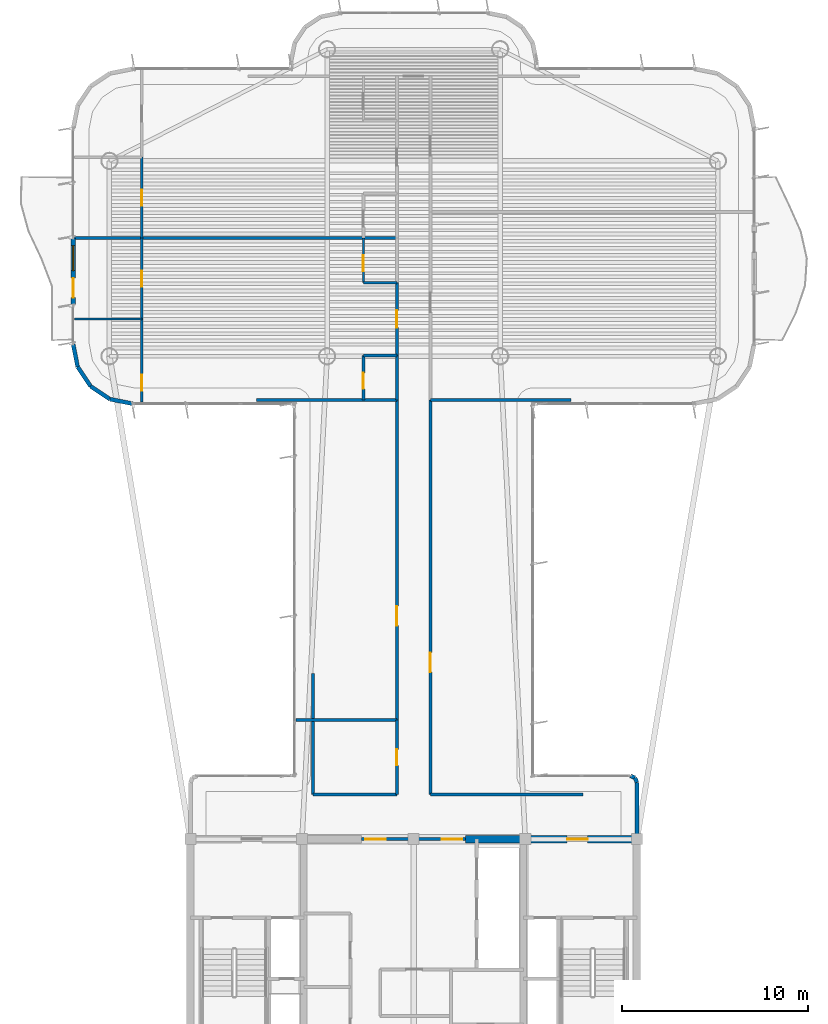
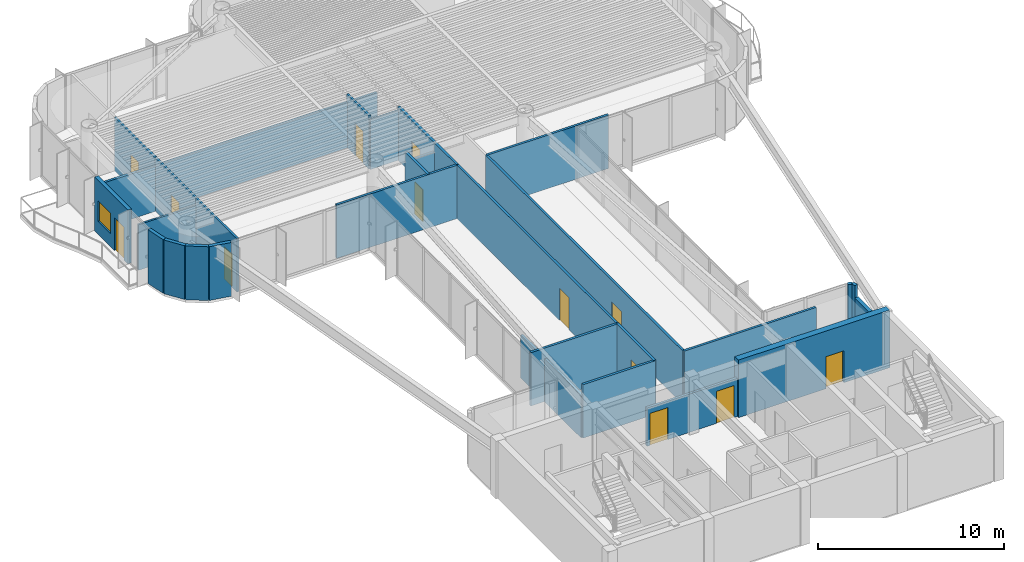
# One storey, part 11 of 15: 30 walls, 13 doors, 1 window, 14 openings.
"""IFC4 building model written with IfcOpenShell, lengths in metres."""

from ifc_helpers import new_model, si_unit, direction, frame, frame_2d, origin, origin_2d, place, context, subcontext, project, spatial, rectangle, extrude, source, transform, mapped, material, layer, layer_set, type_object, element, fill, save


model = new_model("IFC4")

# Units and contexts
model_context = context("Model", 3, precision=1e-05, world=origin(), true_north=direction((0.0, 1.0)))
body_context = subcontext(model_context, "Body", "Model", "MODEL_VIEW")
ifc_project = project(units=[si_unit("LENGTHUNIT", "METRE"), si_unit("AREAUNIT", "SQUARE_METRE"), si_unit("VOLUMEUNIT", "CUBIC_METRE"), si_unit("PLANEANGLEUNIT", "RADIAN"), si_unit("MASSUNIT", "GRAM", prefix="KILO")], contexts=[model_context])

# Site, building, storey
site_placement = place(None, origin())
site = spatial("IfcSite", under=ifc_project, at=site_placement, CompositionType="ELEMENT")
building_placement = place(site_placement, origin())
building = spatial("IfcBuilding", under=site, at=building_placement, Name="Brelvock Crest Care Tower", CompositionType="ELEMENT")
storey_placement = place(building_placement, frame((0.0, 0.0, 279.719970703125)))
storey = spatial("IfcBuildingStorey", under=building, at=storey_placement, Name="L71", CompositionType="ELEMENT", Elevation=279.719970703125)

# Wall, opening, door
ifc_material_1 = material(Name="Concrete S65 (65 MPa)", Category="concrete")
ifc_layer_1 = layer(ifc_material_1, 0.39990234375, Name="WL-CS4")
ifc_layer_set_1 = layer_set([ifc_layer_1], Name="Concrete S65 (65 MPa)")
wall_type_1 = type_object("IfcWallType", Name="WL-CS4", PredefinedType="SHEAR", material=ifc_layer_set_1)
wall_1_placement = place(storey_placement, frame((38.800048828125, 18.0, 0.0), z_axis=(0.0, 0.0, 1.0), x_axis=(1.0, 0.0, 0.0)))
wall_1 = element("IfcWall", 1, at=wall_1_placement, inside=storey, type_object=wall_type_1, Name="L71 Core North-East Shear Wall", PredefinedType="SHEAR", context=body_context, shape_type="SweptSolid", body=[
    extrude(rectangle(XDim=9.39990234375, YDim=0.39990234375, at=frame_2d((4.699951171875, 0.0))), origin(), (0.0, 0.0, 1.0), 3.780029296875),
])
opening_1_placement = place(wall_1_placement, frame((5.449951171875, 0.0, 0.0)))
opening_1 = element("IfcOpeningElement", 2, at=opening_1_placement, cuts=wall_1, Name="Opening FD-1", PredefinedType="OPENING", context=body_context, shape_type="SweptSolid", body=[
    extrude(rectangle(XDim=1.10009765625, YDim=2.10009765625, at=origin_2d()), frame((0.550048828125, 0.2099609375, 1.050048828125), z_axis=(0.0, -1.0, 0.0), x_axis=(1.0, 0.0, 0.0)), (0.0, 0.0, 1.0), 0.419921875),
])
ifc_material_2 = material(Name="Steel Grade 350", Category="steel")
door_type_1 = type_object("IfcDoorType", Name="DR-FFL1", OperationType="NOTDEFINED", PredefinedType="DOOR", material=ifc_material_2)
shared_shape_1 = source(origin(), body_context, "Body", "SweptSolid", [
    extrude(rectangle(XDim=1.10009765625, YDim=2.10009765625, at=origin_2d()), frame((0.550048828125, 0.02490234375, 1.050048828125), z_axis=(0.0, -1.0, 0.0), x_axis=(1.0, 0.0, 0.0)), (0.0, 0.0, 1.0), 0.050048828125),
])
door_1_placement = place(opening_1_placement, origin())
door_1 = element("IfcDoor", 3, at=door_1_placement, inside=storey, type_object=door_type_1, Name="L71 Firefighting Lobby FFL-2 Exit Door", OperationType="SINGLE_SWING_RIGHT", OverallHeight=2.10009765625, OverallWidth=1.10009765625, PredefinedType="DOOR", context=body_context, shape_type="MappedRepresentation", body=[
    mapped(shared_shape_1, transform((0.0, 0.0, 0.0), x_axis=(1.0, 0.0, 0.0), y_axis=(0.0, 1.0, 0.0), z_axis=(0.0, 0.0, 1.0), scale=1.0)),
])
fill(opening_1, door_1)

# Wall, openings, door, window
ifc_material_3 = material(Name="Precast concrete N40 (40 MPa)", Category="concrete")
ifc_layer_2 = layer(ifc_material_3, 0.239990234375, Name="WL-EX1")
ifc_layer_set_2 = layer_set([ifc_layer_2], Name="Precast concrete N40 (40 MPa)")
wall_type_2 = type_object("IfcWallType", Name="WL-EX1", PredefinedType="SOLIDWALL", material=ifc_layer_set_2)
wall_2_placement = place(storey_placement, frame((17.699951171875, 46.699951171875, 0.0), z_axis=(0.0, 0.0, 1.0), x_axis=(0.0, 1.0, 0.0)))
wall_2 = element("IfcWall", 4, at=wall_2_placement, inside=storey, type_object=wall_type_2, Name="L71 Exterior Spandrel Wall WL-BAL-L71-W", PredefinedType="SOLIDWALL", context=body_context, shape_type="SweptSolid", body=[
    extrude(rectangle(XDim=3.60009765625, YDim=0.239990234375, at=frame_2d((1.800048828125, 0.0))), origin(), (0.0, 0.0, 1.0), 3.530029296875),
])
opening_2_placement = place(wall_2_placement, frame((0.39990234375, 0.0, 0.0)))
opening_2 = element("IfcOpeningElement", 5, at=opening_2_placement, cuts=wall_2, Name="Opening BD-1", PredefinedType="OPENING", context=body_context, shape_type="SweptSolid", body=[
    extrude(rectangle(XDim=1.050048828125, YDim=2.14990234375, at=origin_2d()), frame((0.52490234375, 0.1298828125, 1.074951171875), z_axis=(0.0, -1.0, 0.0), x_axis=(1.0, 0.0, 0.0)), (0.0, 0.0, 1.0), 0.260009765625),
])
opening_3_placement = place(wall_2_placement, frame((1.85009765625, 0.0, 0.85009765625)))
opening_3 = element("IfcOpeningElement", 6, at=opening_3_placement, cuts=wall_2, Name="Opening W-01", PredefinedType="OPENING", context=body_context, shape_type="SweptSolid", body=[
    extrude(rectangle(XDim=1.35009765625, YDim=1.35009765625, at=origin_2d()), frame((0.675048828125, 0.1298828125, 0.675048828125), z_axis=(0.0, -1.0, 0.0), x_axis=(1.0, 0.0, 0.0)), (0.0, 0.0, 1.0), 0.260009765625),
])
ifc_material_4 = material(Name="Dark Glass Double Glazed Low-E", Category="glass")
door_type_2 = type_object("IfcDoorType", Name="DR-BAL1", OperationType="NOTDEFINED", PredefinedType="DOOR", material=ifc_material_4)
shared_shape_2 = source(origin(), body_context, "Body", "SweptSolid", [
    extrude(rectangle(XDim=1.050048828125, YDim=2.14990234375, at=origin_2d()), frame((0.52490234375, 0.02490234375, 1.074951171875), z_axis=(0.0, -1.0, 0.0), x_axis=(1.0, 0.0, 0.0)), (0.0, 0.0, 1.0), 0.050048828125),
])
door_2_placement = place(opening_2_placement, origin())
door_2 = element("IfcDoor", 7, at=door_2_placement, inside=storey, type_object=door_type_2, Name="L71 W Wave Balcony Glazed Door", OperationType="SINGLE_SWING_LEFT", OverallHeight=2.14990234375, OverallWidth=1.050048828125, PredefinedType="DOOR", context=body_context, shape_type="MappedRepresentation", body=[
    mapped(shared_shape_2, transform((0.0, 0.0, 0.0), x_axis=(1.0, 0.0, 0.0), y_axis=(0.0, 1.0, 0.0), z_axis=(0.0, 0.0, 1.0), scale=1.0)),
])
fill(opening_2, door_2)
window_type = type_object("IfcWindowType", Name="WN-EX1", PartitioningType="SINGLE_PANEL", PredefinedType="WINDOW", material=ifc_material_4)
shared_shape_3 = source(origin(), body_context, "Body", "SweptSolid", [
    extrude(rectangle(XDim=1.35009765625, YDim=1.35009765625, at=origin_2d()), frame((0.675048828125, 0.030029296875, 0.675048828125), z_axis=(0.0, -1.0, 0.0), x_axis=(1.0, 0.0, 0.0)), (0.0, 0.0, 1.0), 0.06005859375),
])
window_placement = place(opening_3_placement, origin())
window = element("IfcWindow", 8, at=window_placement, inside=storey, type_object=window_type, Name="L71 W Suite Casement Window", OverallHeight=1.35009765625, OverallWidth=1.35009765625, PartitioningType="SINGLE_PANEL", PredefinedType="WINDOW", context=body_context, shape_type="MappedRepresentation", body=[
    mapped(shared_shape_3, transform((0.0, 0.0, 0.0), x_axis=(1.0, 0.0, 0.0), y_axis=(0.0, 1.0, 0.0), z_axis=(0.0, 0.0, 1.0), scale=1.0)),
])
fill(opening_3, window)

# Walls
ifc_layer_3 = layer(ifc_material_3, 0.215087890625, Name="WL-EX2")
ifc_layer_set_3 = layer_set([ifc_layer_3], Name="Precast concrete N40 (40 MPa)")
wall_type_3 = type_object("IfcWallType", Name="WL-EX2", PredefinedType="SOLIDWALL", material=ifc_layer_set_3)
wall_3_placement = place(storey_placement, frame((47.8974609375, 21.297607421875, 0.0), z_axis=(0.0, 0.0, 1.0), x_axis=(0.382673670509, -0.923883575944, 0.0)))
element("IfcWall", 9, at=wall_3_placement, inside=storey, type_object=wall_type_3, Name="L71 Rounded Corner Wall 00", PredefinedType="SOLIDWALL", context=body_context, shape_type="SweptSolid", body=[
    extrude(rectangle(XDim=0.26806640625, YDim=0.215087890625, at=frame_2d((0.134033203125, 0.0))), origin(), (0.0, 0.0, 1.0), 3.530029296875),
])
wall_4_placement = place(storey_placement, frame((48.0, 21.050048828125, 0.0), z_axis=(0.0, 0.0, 1.0), x_axis=(0.0, -1.0, 0.0)))
element("IfcWall", 10, at=wall_4_placement, inside=storey, type_object=wall_type_3, Name="L71 Rounded Corner Wall 01", PredefinedType="SOLIDWALL", context=body_context, shape_type="SweptSolid", body=[
    extrude(rectangle(XDim=2.77001953125, YDim=0.215087890625, at=frame_2d((1.385009765625, 0.0))), origin(), (0.0, 0.0, 1.0), 2.718017578125),
])
for number, where, z_axis, x_axis, name in (
    (11, (20.89990234375, 41.39990234375, 0.0), (0.0, 0.0, 1.0), (-0.980775717779, 0.195138390419, 0.0), "L71 Rounded Corner Wall 13"),
    (12, (19.67529296875, 41.6435546875, 0.0), (0.0, 0.0, 1.0), (-0.831387912822, 0.555692485475, 0.0), "L71 Rounded Corner Wall 14"),
    (13, (18.63720703125, 42.33740234375, 0.0), (0.0, 0.0, 1.0), (-0.555557312883, 0.831478245117, 0.0), "L71 Rounded Corner Wall 15"),
    (14, (17.943603515625, 43.37548828125, 0.0), (0.0, 0.0, 1.0), (-0.195138390419, 0.980775717779, 0.0), "L71 Rounded Corner Wall 16"),
):
    element("IfcWall", number, at=place(storey_placement, frame(where, z_axis=z_axis, x_axis=x_axis)), inside=storey, type_object=wall_type_3, Name=name, PredefinedType="SOLIDWALL", context=body_context, shape_type="SweptSolid", body=[
        extrude(rectangle(XDim=1.24853515625, YDim=0.215087890625, at=frame_2d((0.624267578125, 0.0))), origin(), (0.0, 0.0, 1.0), 3.530029296875),
    ])
wall_5_placement = place(storey_placement, frame((47.64990234375, 21.39990234375, 0.0), z_axis=(0.0, 0.0, 1.0), x_axis=(0.924205486139, -0.381895560841, 0.0)))
element("IfcWall", 15, at=wall_5_placement, inside=storey, type_object=wall_type_3, Name="L71 Rounded Corner Wall 47", PredefinedType="SOLIDWALL", context=body_context, shape_type="SweptSolid", body=[
    extrude(rectangle(XDim=0.267822265625, YDim=0.215087890625, at=frame_2d((0.1337890625, 0.0))), origin(), (0.0, 0.0, 1.0), 3.530029296875),
])

# Wall, openings, doors
ifc_material_5 = material(Name="Masonry Blockwork Acoustic Partition", Category="masonry")
ifc_layer_4 = layer(ifc_material_5, 0.14990234375, Name="WL-INT1")
ifc_layer_set_4 = layer_set([ifc_layer_4], Name="Masonry Blockwork Acoustic Partition")
wall_type_4 = type_object("IfcWallType", Name="WL-INT1", PredefinedType="PARTITIONING", material=ifc_layer_set_4)
wall_6_placement = place(storey_placement, frame((33.199951171875, 18.0, 0.0), z_axis=(0.0, 0.0, 1.0), x_axis=(1.0, 0.0, 0.0)))
wall_6 = element("IfcWall", 16, at=wall_6_placement, inside=storey, type_object=wall_type_4, Name="L71 Interior Wall WL-CORE-NPORT-L71", PredefinedType="PARTITIONING", context=body_context, shape_type="SweptSolid", body=[
    extrude(rectangle(XDim=5.60009765625, YDim=0.14990234375, at=frame_2d((2.800048828125, 0.0))), origin(), (0.0, 0.0, 1.0), 2.51513671875),
])
opening_4_placement = place(wall_6_placement, frame((0.18994140625, 0.0, 0.0)))
opening_4 = element("IfcOpeningElement", 17, at=opening_4_placement, cuts=wall_6, Name="Opening FD-1", PredefinedType="OPENING", context=body_context, shape_type="SweptSolid", body=[
    extrude(rectangle(XDim=1.10009765625, YDim=2.10009765625, at=origin_2d()), frame((0.550048828125, 0.0849609375, 1.050048828125), z_axis=(0.0, -1.0, 0.0), x_axis=(1.0, 0.0, 0.0)), (0.0, 0.0, 1.0), 0.169921875),
])
opening_5_placement = place(wall_6_placement, frame((4.31005859375, 0.0, 0.0)))
opening_5 = element("IfcOpeningElement", 18, at=opening_5_placement, cuts=wall_6, Name="Opening FD-1", PredefinedType="OPENING", context=body_context, shape_type="SweptSolid", body=[
    extrude(rectangle(XDim=1.10009765625, YDim=2.10009765625, at=origin_2d()), frame((0.550048828125, 0.0849609375, 1.050048828125), z_axis=(0.0, -1.0, 0.0), x_axis=(1.0, 0.0, 0.0)), (0.0, 0.0, 1.0), 0.169921875),
])
door_3_placement = place(opening_4_placement, origin())
door_3 = element("IfcDoor", 19, at=door_3_placement, inside=storey, type_object=door_type_1, Name="L71 Lift Lobby North Smoke Door West", OperationType="SINGLE_SWING_LEFT", OverallHeight=2.10009765625, OverallWidth=1.10009765625, PredefinedType="DOOR", context=body_context, shape_type="MappedRepresentation", body=[
    mapped(shared_shape_1, transform((0.0, 0.0, 0.0), x_axis=(1.0, 0.0, 0.0), y_axis=(0.0, 1.0, 0.0), z_axis=(0.0, 0.0, 1.0), scale=1.0)),
])
fill(opening_4, door_3)
door_4_placement = place(opening_5_placement, origin())
door_4 = element("IfcDoor", 20, at=door_4_placement, inside=storey, type_object=door_type_1, Name="L71 Lift Lobby North Smoke Door East", OperationType="SINGLE_SWING_RIGHT", OverallHeight=2.10009765625, OverallWidth=1.10009765625, PredefinedType="DOOR", context=body_context, shape_type="MappedRepresentation", body=[
    mapped(shared_shape_1, transform((0.0, 0.0, 0.0), x_axis=(1.0, 0.0, 0.0), y_axis=(0.0, 1.0, 0.0), z_axis=(0.0, 0.0, 1.0), scale=1.0)),
])
fill(opening_5, door_4)

# Walls
wall_7_placement = place(storey_placement, frame((36.89990234375, 20.39990234375, 0.0), z_axis=(0.0, 0.0, 1.0), x_axis=(1.0, 0.0, 0.0)))
element("IfcWall", 21, at=wall_7_placement, inside=storey, type_object=wall_type_4, Name="L71 Interior Wall WL-BX-L71-PHOF-S", PredefinedType="PARTITIONING", context=body_context, shape_type="SweptSolid", body=[
    extrude(rectangle(XDim=8.2001953125, YDim=0.14990234375, at=frame_2d((4.10009765625, 0.0))), origin(), (0.0, 0.0, 1.0), 3.5),
])
wall_8_placement = place(storey_placement, frame((27.557861328125, 41.60009765625, 0.0), z_axis=(0.0, 0.0, 1.0), x_axis=(1.0, 0.0, 0.0)))
element("IfcWall", 22, at=wall_8_placement, inside=storey, type_object=wall_type_4, Name="L71 Interior Wall WL-BX-L71-FL-WPF1-S2", PredefinedType="PARTITIONING", context=body_context, shape_type="SweptSolid", body=[
    extrude(rectangle(XDim=7.542236328125, YDim=0.14990234375, at=frame_2d((3.77099609375, 0.0))), origin(), (0.0, 0.0, 1.0), 3.5),
])
wall_9_placement = place(storey_placement, frame((36.89990234375, 41.60009765625, 0.0), z_axis=(0.0, 0.0, 1.0), x_axis=(1.0, 0.0, 0.0)))
element("IfcWall", 23, at=wall_9_placement, inside=storey, type_object=wall_type_4, Name="L71 Interior Wall WL-BX-L71-EPCL-S", PredefinedType="PARTITIONING", context=body_context, shape_type="SweptSolid", body=[
    extrude(rectangle(XDim=7.54345703125, YDim=0.14990234375, at=frame_2d((3.771728515625, 0.0))), origin(), (0.0, 0.0, 1.0), 3.5),
])
wall_10_placement = place(storey_placement, frame((17.780029296875, 50.300048828125, 0.0), z_axis=(0.0, 0.0, 1.0), x_axis=(1.0, 0.0, 0.0)))
element("IfcWall", 24, at=wall_10_placement, inside=storey, type_object=wall_type_4, Name="L71 Interior Wall WL-BX-L71-FL-WPF1-N", PredefinedType="PARTITIONING", context=body_context, shape_type="SweptSolid", body=[
    extrude(rectangle(XDim=17.320068359375, YDim=0.14990234375, at=frame_2d((8.66015625, 0.0))), origin(), (0.0, 0.0, 1.0), 2.98193359375),
])

# Wall, opening, door
wall_11_placement = place(storey_placement, frame((35.10009765625, 24.39990234375, 0.0), z_axis=(0.0, 0.0, 1.0), x_axis=(0.0, 1.0, 0.0)))
wall_11 = element("IfcWall", 25, at=wall_11_placement, inside=storey, type_object=wall_type_4, Name="L71 Interior Wall WL-RM-L71-PHLB", PredefinedType="PARTITIONING", context=body_context, shape_type="SweptSolid", body=[
    extrude(rectangle(XDim=17.2001953125, YDim=0.14990234375, at=frame_2d((8.60009765625, 0.0))), origin(), (0.0, 0.0, 1.0), 3.5),
])
opening_6_placement = place(wall_11_placement, frame((5.074951171875, 0.0, 0.0)))
opening_6 = element("IfcOpeningElement", 26, at=opening_6_placement, cuts=wall_11, Name="Opening CLD-1", PredefinedType="OPENING", context=body_context, shape_type="SweptSolid", body=[
    extrude(rectangle(XDim=1.050048828125, YDim=2.10009765625, at=origin_2d()), frame((0.52490234375, 0.0849609375, 1.050048828125), z_axis=(0.0, -1.0, 0.0), x_axis=(1.0, 0.0, 0.0)), (0.0, 0.0, 1.0), 0.169921875),
])
ifc_material_6 = material(Name="Engineered Hardwood Timber", Category="wood")
door_type_3 = type_object("IfcDoorType", Name="DR-CLN1", OperationType="NOTDEFINED", PredefinedType="DOOR", material=ifc_material_6)
shared_shape_4 = source(origin(), body_context, "Body", "SweptSolid", [
    extrude(rectangle(XDim=1.050048828125, YDim=2.10009765625, at=origin_2d()), frame((0.52490234375, 0.02490234375, 1.050048828125), z_axis=(0.0, -1.0, 0.0), x_axis=(1.0, 0.0, 0.0)), (0.0, 0.0, 1.0), 0.050048828125),
])
door_5_placement = place(opening_6_placement, origin())
door_5 = element("IfcDoor", 27, at=door_5_placement, inside=storey, type_object=door_type_3, Name="L71 Crest Horizon Library Door PHLB", OperationType="SINGLE_SWING_LEFT", OverallHeight=2.10009765625, OverallWidth=1.050048828125, PredefinedType="DOOR", context=body_context, shape_type="MappedRepresentation", body=[
    mapped(shared_shape_4, transform((0.0, 0.0, 0.0), x_axis=(1.0, 0.0, 0.0), y_axis=(0.0, 1.0, 0.0), z_axis=(0.0, 0.0, 1.0), scale=1.0)),
])
fill(opening_6, door_5)

wall_12_placement = place(storey_placement, frame((35.10009765625, 44.0, 0.0), z_axis=(0.0, 0.0, 1.0), x_axis=(0.0, 1.0, 0.0)))
wall_12 = element("IfcWall", 28, at=wall_12_placement, inside=storey, type_object=wall_type_4, Name="L71 Interior Wall WL-UENT-L71-WPF1", PredefinedType="PARTITIONING", context=body_context, shape_type="SweptSolid", body=[
    extrude(rectangle(XDim=3.89990234375, YDim=0.14990234375, at=frame_2d((1.949951171875, 0.0))), origin(), (0.0, 0.0, 1.0), 3.5),
])
opening_7_placement = place(wall_12_placement, frame((1.489990234375, 0.0, 0.0)))
opening_7 = element("IfcOpeningElement", 29, at=opening_7_placement, cuts=wall_12, Name="Opening AD-1", PredefinedType="OPENING", context=body_context, shape_type="SweptSolid", body=[
    extrude(rectangle(XDim=0.919921875, YDim=2.10009765625, at=origin_2d()), frame((0.4599609375, 0.0849609375, 1.050048828125), z_axis=(0.0, -1.0, 0.0), x_axis=(1.0, 0.0, 0.0)), (0.0, 0.0, 1.0), 0.169921875),
])
door_type_4 = type_object("IfcDoorType", Name="DR-APT1", OperationType="NOTDEFINED", PredefinedType="DOOR", material=ifc_material_6)
shared_shape_5 = source(origin(), body_context, "Body", "SweptSolid", [
    extrude(rectangle(XDim=0.919921875, YDim=2.10009765625, at=origin_2d()), frame((0.4599609375, 0.02490234375, 1.050048828125), z_axis=(0.0, -1.0, 0.0), x_axis=(1.0, 0.0, 0.0)), (0.0, 0.0, 1.0), 0.050048828125),
])
door_6_placement = place(opening_7_placement, origin())
door_6 = element("IfcDoor", 30, at=door_6_placement, inside=storey, type_object=door_type_4, Name="L71 Apartment Entrance WPF1", OperationType="SINGLE_SWING_LEFT", OverallHeight=2.10009765625, OverallWidth=0.919921875, PredefinedType="DOOR", context=body_context, shape_type="MappedRepresentation", body=[
    mapped(shared_shape_5, transform((0.0, 0.0, 0.0), x_axis=(1.0, 0.0, 0.0), y_axis=(0.0, 1.0, 0.0), z_axis=(0.0, 0.0, 1.0), scale=1.0)),
])
fill(opening_7, door_6)

wall_13_placement = place(storey_placement, frame((36.89990234375, 20.39990234375, 0.0), z_axis=(0.0, 0.0, 1.0), x_axis=(0.0, 1.0, 0.0)))
wall_13 = element("IfcWall", 31, at=wall_13_placement, inside=storey, type_object=wall_type_4, Name="L71 Interior Wall WL-RM-L71-PHOF", PredefinedType="PARTITIONING", context=body_context, shape_type="SweptSolid", body=[
    extrude(rectangle(XDim=21.2001953125, YDim=0.14990234375, at=frame_2d((10.60009765625, 0.0))), origin(), (0.0, 0.0, 1.0), 3.5),
])
opening_8_placement = place(wall_13_placement, frame((6.574951171875, 0.0, 0.0)))
opening_8 = element("IfcOpeningElement", 32, at=opening_8_placement, cuts=wall_13, Name="Opening CLD-1", PredefinedType="OPENING", context=body_context, shape_type="SweptSolid", body=[
    extrude(rectangle(XDim=1.050048828125, YDim=2.10009765625, at=origin_2d()), frame((0.52490234375, 0.0849609375, 1.050048828125), z_axis=(0.0, -1.0, 0.0), x_axis=(1.0, 0.0, 0.0)), (0.0, 0.0, 1.0), 0.169921875),
])
door_7_placement = place(opening_8_placement, origin())
door_7 = element("IfcDoor", 33, at=door_7_placement, inside=storey, type_object=door_type_3, Name="L71 Concierge Physician Suite Door PHOF", OperationType="SINGLE_SWING_LEFT", OverallHeight=2.10009765625, OverallWidth=1.050048828125, PredefinedType="DOOR", context=body_context, shape_type="MappedRepresentation", body=[
    mapped(shared_shape_4, transform((0.0, 0.0, 0.0), x_axis=(1.0, 0.0, 0.0), y_axis=(0.0, 1.0, 0.0), z_axis=(0.0, 0.0, 1.0), scale=1.0)),
])
fill(opening_8, door_7)

# Walls
ifc_material_7 = material(Name="Gypsum Plasterboard Partition", Category="gypsum")
ifc_layer_5 = layer(ifc_material_7, 0.1201171875, Name="WL-INT2")
ifc_layer_set_5 = layer_set([ifc_layer_5], Name="Gypsum Plasterboard Partition")
wall_type_5 = type_object("IfcWallType", Name="WL-INT2", PredefinedType="PARTITIONING", material=ifc_layer_set_5)
wall_14_placement = place(storey_placement, frame((17.780029296875, 45.949951171875, 0.0), z_axis=(0.0, 0.0, 1.0), x_axis=(1.0, 0.0, 0.0)))
element("IfcWall", 34, at=wall_14_placement, inside=storey, type_object=wall_type_5, Name="L71 Interior Wall WL-UBSP-L71-WPF1", PredefinedType="PARTITIONING", context=body_context, shape_type="SweptSolid", body=[
    extrude(rectangle(XDim=3.60986328125, YDim=0.1201171875, at=frame_2d((1.804931640625, 0.0))), origin(), (0.0, 0.0, 1.0), 2.98193359375),
])
wall_15_placement = place(storey_placement, frame((33.300048828125, 47.89990234375, 0.0), z_axis=(0.0, 0.0, 1.0), x_axis=(1.0, 0.0, 0.0)))
element("IfcWall", 35, at=wall_15_placement, inside=storey, type_object=wall_type_5, Name="L71 Interior Wall WL-UKIT2-L71-WPF1", PredefinedType="PARTITIONING", context=body_context, shape_type="SweptSolid", body=[
    extrude(rectangle(XDim=1.800048828125, YDim=0.1201171875, at=frame_2d((0.89990234375, 0.0))), origin(), (0.0, 0.0, 1.0), 3.259033203125),
])

# Wall, opening, door
wall_16_placement = place(storey_placement, frame((21.389892578125, 41.47998046875, 0.0), z_axis=(0.0, 0.0, 1.0), x_axis=(0.0, 1.0, 0.0)))
wall_16 = element("IfcWall", 36, at=wall_16_placement, inside=storey, type_object=wall_type_5, Name="L71 Interior Wall WL-UBD1-L71-WPF1", PredefinedType="PARTITIONING", context=body_context, shape_type="SweptSolid", body=[
    extrude(rectangle(XDim=4.469970703125, YDim=0.1201171875, at=frame_2d((2.23486328125, 0.0))), origin(), (0.0, 0.0, 1.0), 3.5),
])
opening_9_placement = place(wall_16_placement, frame((0.60498046875, 0.0, 0.0)))
opening_9 = element("IfcOpeningElement", 37, at=opening_9_placement, cuts=wall_16, Name="Opening ID-1", PredefinedType="OPENING", context=body_context, shape_type="SweptSolid", body=[
    extrude(rectangle(XDim=0.860107421875, YDim=2.10009765625, at=origin_2d()), frame((0.43017578125, 0.070068359375, 1.050048828125), z_axis=(0.0, -1.0, 0.0), x_axis=(1.0, 0.0, 0.0)), (0.0, 0.0, 1.0), 0.14013671875),
])
door_type_5 = type_object("IfcDoorType", Name="DR-INT1", OperationType="NOTDEFINED", PredefinedType="DOOR", material=ifc_material_6)
shared_shape_6 = source(origin(), body_context, "Body", "SweptSolid", [
    extrude(rectangle(XDim=0.860107421875, YDim=2.10009765625, at=origin_2d()), frame((0.43017578125, 0.02490234375, 1.050048828125), z_axis=(0.0, -1.0, 0.0), x_axis=(1.0, 0.0, 0.0)), (0.0, 0.0, 1.0), 0.050048828125),
])
door_8_placement = place(opening_9_placement, origin())
door_8 = element("IfcDoor", 38, at=door_8_placement, inside=storey, type_object=door_type_5, Name="L71 Primary Bedroom Door WPF1", OperationType="SINGLE_SWING_RIGHT", OverallHeight=2.10009765625, OverallWidth=0.860107421875, PredefinedType="DOOR", context=body_context, shape_type="MappedRepresentation", body=[
    mapped(shared_shape_6, transform((0.0, 0.0, 0.0), x_axis=(1.0, 0.0, 0.0), y_axis=(0.0, 1.0, 0.0), z_axis=(0.0, 0.0, 1.0), scale=1.0)),
])
fill(opening_9, door_8)

wall_17_placement = place(storey_placement, frame((21.389892578125, 45.949951171875, 0.0), z_axis=(0.0, 0.0, 1.0), x_axis=(0.0, 1.0, 0.0)))
wall_17 = element("IfcWall", 39, at=wall_17_placement, inside=storey, type_object=wall_type_5, Name="L71 Interior Wall WL-UBD2-L71-WPF1", PredefinedType="PARTITIONING", context=body_context, shape_type="SweptSolid", body=[
    extrude(rectangle(XDim=4.35009765625, YDim=0.1201171875, at=frame_2d((2.175048828125, 0.0))), origin(), (0.0, 0.0, 1.0), 3.5),
])
opening_10_placement = place(wall_17_placement, frame((1.7451171875, 0.0, 0.0)))
opening_10 = element("IfcOpeningElement", 40, at=opening_10_placement, cuts=wall_17, Name="Opening ID-1", PredefinedType="OPENING", context=body_context, shape_type="SweptSolid", body=[
    extrude(rectangle(XDim=0.860107421875, YDim=2.10009765625, at=origin_2d()), frame((0.43017578125, 0.070068359375, 1.050048828125), z_axis=(0.0, -1.0, 0.0), x_axis=(1.0, 0.0, 0.0)), (0.0, 0.0, 1.0), 0.14013671875),
])
door_9_placement = place(opening_10_placement, origin())
door_9 = element("IfcDoor", 41, at=door_9_placement, inside=storey, type_object=door_type_5, Name="L71 Second Room Door WPF1", OperationType="SINGLE_SWING_LEFT", OverallHeight=2.10009765625, OverallWidth=0.860107421875, PredefinedType="DOOR", context=body_context, shape_type="MappedRepresentation", body=[
    mapped(shared_shape_6, transform((0.0, 0.0, 0.0), x_axis=(1.0, 0.0, 0.0), y_axis=(0.0, 1.0, 0.0), z_axis=(0.0, 0.0, 1.0), scale=1.0)),
])
fill(opening_10, door_9)

wall_18_placement = place(storey_placement, frame((21.389892578125, 50.300048828125, 0.0), z_axis=(0.0, 0.0, 1.0), x_axis=(0.0, 1.0, 0.0)))
wall_18 = element("IfcWall", 42, at=wall_18_placement, inside=storey, type_object=wall_type_5, Name="L71 Interior Wall WL-UBD1-L71-WPF2", PredefinedType="PARTITIONING", context=body_context, shape_type="SweptSolid", body=[
    extrude(rectangle(XDim=4.349853515625, YDim=0.1201171875, at=frame_2d((2.1748046875, 0.0))), origin(), (0.0, 0.0, 1.0), 3.5),
])
opening_11_placement = place(wall_18_placement, frame((1.7451171875, 0.0, 0.0)))
opening_11 = element("IfcOpeningElement", 43, at=opening_11_placement, cuts=wall_18, Name="Opening ID-1", PredefinedType="OPENING", context=body_context, shape_type="SweptSolid", body=[
    extrude(rectangle(XDim=0.860107421875, YDim=2.10009765625, at=origin_2d()), frame((0.43017578125, 0.070068359375, 1.050048828125), z_axis=(0.0, -1.0, 0.0), x_axis=(1.0, 0.0, 0.0)), (0.0, 0.0, 1.0), 0.14013671875),
])
door_10_placement = place(opening_11_placement, origin())
door_10 = element("IfcDoor", 44, at=door_10_placement, inside=storey, type_object=door_type_5, Name="L71 Primary Bedroom Door WPF2", OperationType="SINGLE_SWING_RIGHT", OverallHeight=2.10009765625, OverallWidth=0.860107421875, PredefinedType="DOOR", context=body_context, shape_type="MappedRepresentation", body=[
    mapped(shared_shape_6, transform((0.0, 0.0, 0.0), x_axis=(1.0, 0.0, 0.0), y_axis=(0.0, 1.0, 0.0), z_axis=(0.0, 0.0, 1.0), scale=1.0)),
])
fill(opening_11, door_10)

wall_19_placement = place(storey_placement, frame((33.300048828125, 47.89990234375, 0.0), z_axis=(0.0, 0.0, 1.0), x_axis=(0.0, 1.0, 0.0)))
wall_19 = element("IfcWall", 45, at=wall_19_placement, inside=storey, type_object=wall_type_5, Name="L71 Interior Wall WL-UKIT1-L71-WPF1", PredefinedType="PARTITIONING", context=body_context, shape_type="SweptSolid", body=[
    extrude(rectangle(XDim=2.400146484375, YDim=0.1201171875, at=frame_2d((1.2001953125, 0.0))), origin(), (0.0, 0.0, 1.0), 3.5),
])
opening_12_placement = place(wall_19_placement, frame((0.6201171875, 0.0, 0.0)))
opening_12 = element("IfcOpeningElement", 46, at=opening_12_placement, cuts=wall_19, Name="Opening ID-1", PredefinedType="OPENING", context=body_context, shape_type="SweptSolid", body=[
    extrude(rectangle(XDim=0.860107421875, YDim=2.10009765625, at=origin_2d()), frame((0.43017578125, 0.070068359375, 1.050048828125), z_axis=(0.0, -1.0, 0.0), x_axis=(1.0, 0.0, 0.0)), (0.0, 0.0, 1.0), 0.14013671875),
])
door_11_placement = place(opening_12_placement, origin())
door_11 = element("IfcDoor", 47, at=door_11_placement, inside=storey, type_object=door_type_5, Name="L71 Kitchen Door WPF1", OperationType="SINGLE_SWING_LEFT", OverallHeight=2.10009765625, OverallWidth=0.860107421875, PredefinedType="DOOR", context=body_context, shape_type="MappedRepresentation", body=[
    mapped(shared_shape_6, transform((0.0, 0.0, 0.0), x_axis=(1.0, 0.0, 0.0), y_axis=(0.0, 1.0, 0.0), z_axis=(0.0, 0.0, 1.0), scale=1.0)),
])
fill(opening_12, door_11)

# Walls
ifc_layer_6 = layer(ifc_material_7, 0.159912109375, Name="WL-PLM1")
ifc_layer_set_6 = layer_set([ifc_layer_6], Name="Gypsum Plasterboard Partition")
wall_type_6 = type_object("IfcWallType", Name="WL-PLM1", PredefinedType="PLUMBINGWALL", material=ifc_layer_set_6)
wall_20_placement = place(storey_placement, frame((30.60009765625, 20.39990234375, 0.0), z_axis=(0.0, 0.0, 1.0), x_axis=(1.0, 0.0, 0.0)))
element("IfcWall", 48, at=wall_20_placement, inside=storey, type_object=wall_type_6, Name="L71 Interior Wall WL-BX-L71-PHWC-S", PredefinedType="PLUMBINGWALL", context=body_context, shape_type="SweptSolid", body=[
    extrude(rectangle(XDim=4.5, YDim=0.159912109375, at=frame_2d((2.25, 0.0))), origin(), (0.0, 0.0, 1.0), 3.5),
])
wall_21_placement = place(storey_placement, frame((29.6787109375, 24.39990234375, 0.0), z_axis=(0.0, 0.0, 1.0), x_axis=(1.0, 0.0, 0.0)))
element("IfcWall", 49, at=wall_21_placement, inside=storey, type_object=wall_type_6, Name="L71 Interior Wall WL-BX-L71-PHLB-S", PredefinedType="PLUMBINGWALL", context=body_context, shape_type="SweptSolid", body=[
    extrude(rectangle(XDim=5.42138671875, YDim=0.159912109375, at=frame_2d((2.710693359375, 0.0))), origin(), (0.0, 0.0, 1.0), 3.5),
])
wall_22_placement = place(storey_placement, frame((33.300048828125, 44.0, 0.0), z_axis=(0.0, 0.0, 1.0), x_axis=(1.0, 0.0, 0.0)))
element("IfcWall", 50, at=wall_22_placement, inside=storey, type_object=wall_type_6, Name="L71 Interior Wall WL-UBTH2-L71-WPF1", PredefinedType="PLUMBINGWALL", context=body_context, shape_type="SweptSolid", body=[
    extrude(rectangle(XDim=1.800048828125, YDim=0.159912109375, at=frame_2d((0.89990234375, 0.0))), origin(), (0.0, 0.0, 1.0), 2.903076171875),
])
wall_23_placement = place(storey_placement, frame((30.60009765625, 20.39990234375, 0.0), z_axis=(0.0, 0.0, 1.0), x_axis=(0.0, 1.0, 0.0)))
element("IfcWall", 51, at=wall_23_placement, inside=storey, type_object=wall_type_6, Name="L71 Interior Wall WL-BX-L71-PHWC-W", PredefinedType="PLUMBINGWALL", context=body_context, shape_type="SweptSolid", body=[
    extrude(rectangle(XDim=6.5, YDim=0.159912109375, at=frame_2d((3.25, 0.0))), origin(), (0.0, 0.0, 1.0), 2.81494140625),
])

# Wall, opening, door
wall_24_placement = place(storey_placement, frame((33.300048828125, 41.60009765625, 0.0), z_axis=(0.0, 0.0, 1.0), x_axis=(0.0, 1.0, 0.0)))
wall_24 = element("IfcWall", 52, at=wall_24_placement, inside=storey, type_object=wall_type_6, Name="L71 Interior Wall WL-UBTH1-L71-WPF1", PredefinedType="PLUMBINGWALL", context=body_context, shape_type="SweptSolid", body=[
    extrude(rectangle(XDim=2.39990234375, YDim=0.159912109375, at=frame_2d((1.199951171875, 0.0))), origin(), (0.0, 0.0, 1.0), 3.5),
])
opening_13_placement = place(wall_24_placement, frame((0.60009765625, 0.0, 0.0)))
opening_13 = element("IfcOpeningElement", 53, at=opening_13_placement, cuts=wall_24, Name="Opening WD-1", PredefinedType="OPENING", context=body_context, shape_type="SweptSolid", body=[
    extrude(rectangle(XDim=0.860107421875, YDim=2.10009765625, at=origin_2d()), frame((0.43017578125, 0.08984375, 1.050048828125), z_axis=(0.0, -1.0, 0.0), x_axis=(1.0, 0.0, 0.0)), (0.0, 0.0, 1.0), 0.179931640625),
])
door_type_6 = type_object("IfcDoorType", Name="DR-WC1", OperationType="NOTDEFINED", PredefinedType="DOOR", material=ifc_material_6)
shared_shape_7 = source(origin(), body_context, "Body", "SweptSolid", [
    extrude(rectangle(XDim=0.860107421875, YDim=2.10009765625, at=origin_2d()), frame((0.43017578125, 0.02490234375, 1.050048828125), z_axis=(0.0, -1.0, 0.0), x_axis=(1.0, 0.0, 0.0)), (0.0, 0.0, 1.0), 0.050048828125),
])
door_12_placement = place(opening_13_placement, origin())
door_12 = element("IfcDoor", 54, at=door_12_placement, inside=storey, type_object=door_type_6, Name="L71 Bathroom Door WPF1", OperationType="SINGLE_SWING_LEFT", OverallHeight=2.10009765625, OverallWidth=0.860107421875, PredefinedType="DOOR", context=body_context, shape_type="MappedRepresentation", body=[
    mapped(shared_shape_7, transform((0.0, 0.0, 0.0), x_axis=(1.0, 0.0, 0.0), y_axis=(0.0, 1.0, 0.0), z_axis=(0.0, 0.0, 1.0), scale=1.0)),
])
fill(opening_13, door_12)

wall_25_placement = place(storey_placement, frame((35.10009765625, 20.39990234375, 0.0), z_axis=(0.0, 0.0, 1.0), x_axis=(0.0, 1.0, 0.0)))
wall_25 = element("IfcWall", 55, at=wall_25_placement, inside=storey, type_object=wall_type_6, Name="L71 Interior Wall WL-RM-L71-PHWC", PredefinedType="PLUMBINGWALL", context=body_context, shape_type="SweptSolid", body=[
    extrude(rectangle(XDim=4.0, YDim=0.159912109375, at=frame_2d((2.0, 0.0))), origin(), (0.0, 0.0, 1.0), 3.5),
])
opening_14_placement = place(wall_25_placement, frame((1.570068359375, 0.0, 0.0)))
opening_14 = element("IfcOpeningElement", 56, at=opening_14_placement, cuts=wall_25, Name="Opening WD-1", PredefinedType="OPENING", context=body_context, shape_type="SweptSolid", body=[
    extrude(rectangle(XDim=0.860107421875, YDim=2.10009765625, at=origin_2d()), frame((0.43017578125, 0.08984375, 1.050048828125), z_axis=(0.0, -1.0, 0.0), x_axis=(1.0, 0.0, 0.0)), (0.0, 0.0, 1.0), 0.179931640625),
])
door_13_placement = place(opening_14_placement, origin())
door_13 = element("IfcDoor", 57, at=door_13_placement, inside=storey, type_object=door_type_6, Name="L71 Crest Horizon Accessible WC Door PHWC", OperationType="SINGLE_SWING_LEFT", OverallHeight=2.10009765625, OverallWidth=0.860107421875, PredefinedType="DOOR", context=body_context, shape_type="MappedRepresentation", body=[
    mapped(shared_shape_7, transform((0.0, 0.0, 0.0), x_axis=(1.0, 0.0, 0.0), y_axis=(0.0, 1.0, 0.0), z_axis=(0.0, 0.0, 1.0), scale=1.0)),
])
fill(opening_14, door_13)

# Wall
wall_26_placement = place(storey_placement, frame((35.10009765625, 41.60009765625, 0.0), z_axis=(0.0, 0.0, 1.0), x_axis=(0.0, 1.0, 0.0)))
element("IfcWall", 58, at=wall_26_placement, inside=storey, type_object=wall_type_6, Name="L71 Interior Wall WL-UCB-L71-WPF1", PredefinedType="PLUMBINGWALL", context=body_context, shape_type="SweptSolid", body=[
    extrude(rectangle(XDim=2.39990234375, YDim=0.159912109375, at=frame_2d((1.199951171875, 0.0))), origin(), (0.0, 0.0, 1.0), 3.5),
])

save(model, "model.ifc")
